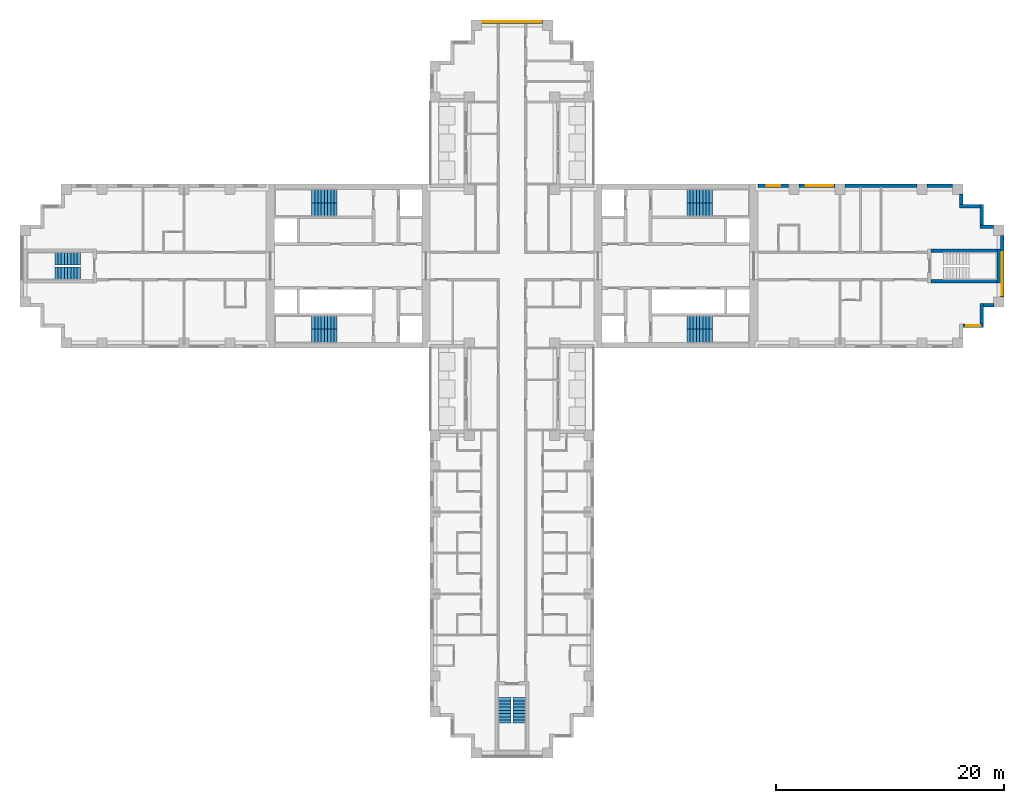
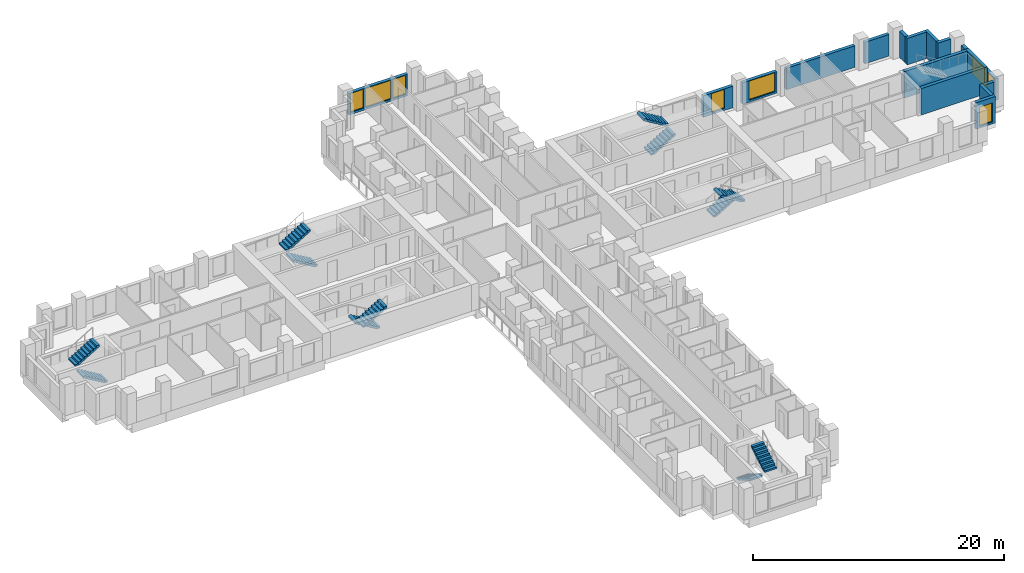
# One storey, part 11 of 14: 16 walls, 12 stair flights, 8 windows, 8 openings, 6 elements without a shape of their own.
"""IFC4 building model written with IfcOpenShell, lengths in metres."""

from ifc_helpers import new_model, si_unit, direction, frame, frame_2d, origin, place, context, subcontext, project, spatial, polyline, rectangle, outline, extrude, material, layer, layer_set, type_object, element, fill, aggregate, save


model = new_model("IFC4")

# Units and contexts
model_context = context("Model", 3, precision=1e-05, world=origin(), true_north=direction((0.0, 1.0)))
body_context = subcontext(model_context, "Body", "Model", "MODEL_VIEW")
ifc_project = project(units=[si_unit("LENGTHUNIT", "METRE"), si_unit("AREAUNIT", "SQUARE_METRE"), si_unit("VOLUMEUNIT", "CUBIC_METRE"), si_unit("PLANEANGLEUNIT", "RADIAN"), si_unit("MASSUNIT", "GRAM", prefix="KILO")], contexts=[model_context])

# Site, building, storey
site_placement = place(None, origin())
site = spatial("IfcSite", under=ifc_project, at=site_placement, CompositionType="ELEMENT")
building_placement = place(site_placement, origin())
building = spatial("IfcBuilding", under=site, at=building_placement, Name="Fustian Cross Tower", CompositionType="ELEMENT")
storey_placement = place(building_placement, frame((0.0, 0.0, 99.89990234375)))
storey = spatial("IfcBuildingStorey", under=building, at=storey_placement, Name="L31", CompositionType="ELEMENT", Elevation=99.89990234375)

# Walls
ifc_material_1 = material(Name="Concrete C50/60", Category="concrete")
ifc_layer_1 = layer(ifc_material_1, 0.300048828125)
ifc_layer_set_1 = layer_set([ifc_layer_1], Name="Concrete C50/60")
wall_type_1 = type_object("IfcWallType", Name="STAIR ENCLOSURE WALL 300 C50/60", PredefinedType="SHEAR", material=ifc_layer_set_1)
wall_1_placement = place(storey_placement, frame((42.75, -1.5, 0.0), z_axis=(0.0, 0.0, 1.0), x_axis=(0.0, 1.0, 0.0)))
element("IfcWall", 1, at=wall_1_placement, inside=storey, type_object=wall_type_1, Name="Stair enclosure wall", PredefinedType="SHEAR", context=body_context, shape_type="SweptSolid", body=[
    extrude(rectangle(XDim=3.0, YDim=0.300048828125, at=frame_2d((1.5, 0.0))), origin(), (0.0, 0.0, 1.0), 2.5751953125),
])
for number, where, z_axis, x_axis, name in (
    (2, (36.800048828125, -1.35009765625, 0.0), (0.0, 0.0, 1.0), (1.0, 0.0, 0.0), "Stair enclosure wall"),
    (3, (36.800048828125, 1.35009765625, 0.0), (0.0, 0.0, 1.0), (1.0, 0.0, 0.0), "Stair enclosure wall"),
):
    element("IfcWall", number, at=place(storey_placement, frame(where, z_axis=z_axis, x_axis=x_axis)), inside=storey, type_object=wall_type_1, Name=name, PredefinedType="SHEAR", context=body_context, shape_type="SweptSolid", body=[
        extrude(rectangle(XDim=5.800048828125, YDim=0.300048828125, at=frame_2d((2.89990234375, 0.0))), origin(), (0.0, 0.0, 1.0), 2.5751953125),
    ])

# Wall, opening, window
ifc_material_2 = material(Name="Dark aluminium cladding on insulated backing wall", Category="aluminium")
ifc_layer_2 = layer(ifc_material_2, 0.300048828125)
ifc_layer_set_2 = layer_set([ifc_layer_2], Name="Dark aluminium cladding on insulated backing wall")
wall_type_2 = type_object("IfcWallType", Name="XW1 EXTERNAL WALL 300", PredefinedType="SOLIDWALL", material=ifc_layer_set_2)
wall_2_placement = place(storey_placement, frame((39.60009765625, -5.25, 0.0), z_axis=(0.0, 0.0, 1.0), x_axis=(1.0, 0.0, 0.0)))
wall_2 = element("IfcWall", 4, at=wall_2_placement, inside=storey, type_object=wall_type_2, Name="External wall", PredefinedType="SOLIDWALL", context=body_context, shape_type="SweptSolid", body=[
    extrude(rectangle(XDim=1.7998046875, YDim=0.300048828125, at=frame_2d((0.89990234375, 0.0))), origin(), (0.0, 0.0, 1.0), 2.5751953125),
])
opening_1_placement = place(wall_2_placement, frame((0.300048828125, 0.0, 0.199951171875)))
opening_1 = element("IfcOpeningElement", 5, at=opening_1_placement, cuts=wall_2, Name="Opening WN3", PredefinedType="OPENING", context=body_context, shape_type="SweptSolid", body=[
    extrude(rectangle(XDim=1.199951171875, YDim=1.85009765625, at=frame_2d((0.60009765625, 0.925048828125))), frame((0.0, 0.159912109375, 0.0), z_axis=(0.0, -1.0, 0.0), x_axis=(1.0, 0.0, 0.0)), (0.0, 0.0, 1.0), 0.320068359375),
])
ifc_material_3 = material(Name="Dark anodised aluminium and double glazing", Category="aluminium")
window_type_1 = type_object("IfcWindowType", Name="WN3 WINDOW 1200X1850", PartitioningType="SINGLE_PANEL", PredefinedType="WINDOW", material=ifc_material_3)
window_1_placement = place(opening_1_placement, origin())
window_1 = element("IfcWindow", 6, at=window_1_placement, inside=storey, type_object=window_type_1, Name="Window", OverallHeight=1.85009765625, OverallWidth=1.199951171875, PartitioningType="SINGLE_PANEL", PredefinedType="WINDOW", context=body_context, shape_type="SweptSolid", body=[
    extrude(rectangle(XDim=1.199951171875, YDim=1.85009765625, at=frame_2d((0.60009765625, 0.925048828125))), frame((0.0, 0.030029296875, 0.0), z_axis=(0.0, -1.0, 0.0), x_axis=(1.0, 0.0, 0.0)), (0.0, 0.0, 1.0), 0.06005859375),
])
fill(opening_1, window_1)

# Walls
wall_3_placement = place(storey_placement, frame((41.25, -5.10009765625, 0.0), z_axis=(0.0, 0.0, 1.0), x_axis=(0.0, 1.0, 0.0)))
element("IfcWall", 7, at=wall_3_placement, inside=storey, type_object=wall_type_2, Name="External wall", PredefinedType="SOLIDWALL", context=body_context, shape_type="SweptSolid", body=[
    extrude(rectangle(XDim=1.800048828125, YDim=0.300048828125, at=frame_2d((0.89990234375, 0.0))), origin(), (0.0, 0.0, 1.0), 2.5751953125),
])
wall_4_placement = place(storey_placement, frame((41.39990234375, -3.449951171875, 0.0), z_axis=(0.0, 0.0, 1.0), x_axis=(1.0, 0.0, 0.0)))
element("IfcWall", 8, at=wall_4_placement, inside=storey, type_object=wall_type_2, Name="External wall", PredefinedType="SOLIDWALL", context=body_context, shape_type="SweptSolid", body=[
    extrude(rectangle(XDim=0.900146484375, YDim=0.300048828125, at=frame_2d((0.4501953125, 0.0))), origin(), (0.0, 0.0, 1.0), 2.5751953125),
])

# Wall, openings, windows
wall_5_placement = place(storey_placement, frame((43.050048828125, -2.699951171875, 0.0), z_axis=(0.0, 0.0, 1.0), x_axis=(0.0, 1.0, 0.0)))
wall_5 = element("IfcWall", 9, at=wall_5_placement, inside=storey, type_object=wall_type_2, Name="External wall", PredefinedType="SOLIDWALL", context=body_context, shape_type="SweptSolid", body=[
    extrude(rectangle(XDim=5.39990234375, YDim=0.300048828125, at=frame_2d((2.699951171875, 0.0))), origin(), (0.0, 0.0, 1.0), 2.10009765625),
])
opening_2_placement = place(wall_5_placement, frame((1.5, 0.0, 0.199951171875)))
opening_2 = element("IfcOpeningElement", 10, at=opening_2_placement, cuts=wall_5, Name="Opening WN1", PredefinedType="OPENING", context=body_context, shape_type="SweptSolid", body=[
    extrude(rectangle(XDim=2.39990234375, YDim=1.85009765625, at=frame_2d((1.199951171875, 0.925048828125))), frame((0.0, 0.159912109375, 0.0), z_axis=(0.0, -1.0, 0.0), x_axis=(1.0, 0.0, 0.0)), (0.0, 0.0, 1.0), 0.320068359375),
])
opening_3_placement = place(wall_5_placement, frame((0.14990234375, 0.0, 0.199951171875)))
opening_3 = element("IfcOpeningElement", 11, at=opening_3_placement, cuts=wall_5, Name="Opening WN3", PredefinedType="OPENING", context=body_context, shape_type="SweptSolid", body=[
    extrude(rectangle(XDim=1.199951171875, YDim=1.85009765625, at=frame_2d((0.60009765625, 0.925048828125))), frame((0.0, 0.159912109375, 0.0), z_axis=(0.0, -1.0, 0.0), x_axis=(1.0, 0.0, 0.0)), (0.0, 0.0, 1.0), 0.320068359375),
])
ifc_material_4 = material(Name="Dark anodised aluminium and double glazing", Category="aluminium")
window_type_2 = type_object("IfcWindowType", Name="WN1 WINDOW 2400X1850", PartitioningType="SINGLE_PANEL", PredefinedType="WINDOW", material=ifc_material_4)
window_2_placement = place(opening_2_placement, origin())
window_2 = element("IfcWindow", 12, at=window_2_placement, inside=storey, type_object=window_type_2, Name="Window", OverallHeight=1.85009765625, OverallWidth=2.39990234375, PartitioningType="SINGLE_PANEL", PredefinedType="WINDOW", context=body_context, shape_type="SweptSolid", body=[
    extrude(rectangle(XDim=2.39990234375, YDim=1.85009765625, at=frame_2d((1.199951171875, 0.925048828125))), frame((0.0, 0.030029296875, 0.0), z_axis=(0.0, -1.0, 0.0), x_axis=(1.0, 0.0, 0.0)), (0.0, 0.0, 1.0), 0.06005859375),
])
fill(opening_2, window_2)
window_3_placement = place(opening_3_placement, origin())
window_3 = element("IfcWindow", 13, at=window_3_placement, inside=storey, type_object=window_type_1, Name="Window", OverallHeight=1.85009765625, OverallWidth=1.199951171875, PartitioningType="SINGLE_PANEL", PredefinedType="WINDOW", context=body_context, shape_type="SweptSolid", body=[
    extrude(rectangle(XDim=1.199951171875, YDim=1.85009765625, at=frame_2d((0.60009765625, 0.925048828125))), frame((0.0, 0.030029296875, 0.0), z_axis=(0.0, -1.0, 0.0), x_axis=(1.0, 0.0, 0.0)), (0.0, 0.0, 1.0), 0.06005859375),
])
fill(opening_3, window_3)

# Walls
wall_6_placement = place(storey_placement, frame((42.300048828125, 3.449951171875, 0.0), z_axis=(0.0, 0.0, 1.0), x_axis=(-1.0, 0.0, 0.0)))
element("IfcWall", 14, at=wall_6_placement, inside=storey, type_object=wall_type_2, Name="External wall", PredefinedType="SOLIDWALL", context=body_context, shape_type="SweptSolid", body=[
    extrude(rectangle(XDim=1.199951171875, YDim=0.300048828125, at=frame_2d((0.60009765625, 0.0))), origin(), (0.0, 0.0, 1.0), 2.5751953125),
])
wall_7_placement = place(storey_placement, frame((41.25, 3.60009765625, 0.0), z_axis=(0.0, 0.0, 1.0), x_axis=(0.0, 1.0, 0.0)))
element("IfcWall", 15, at=wall_7_placement, inside=storey, type_object=wall_type_2, Name="External wall", PredefinedType="SOLIDWALL", context=body_context, shape_type="SweptSolid", body=[
    extrude(rectangle(XDim=1.7998046875, YDim=0.300048828125, at=frame_2d((0.89990234375, 0.0))), origin(), (0.0, 0.0, 1.0), 2.5751953125),
])
wall_8_placement = place(storey_placement, frame((41.10009765625, 5.25, 0.0), z_axis=(0.0, 0.0, 1.0), x_axis=(-1.0, 0.0, 0.0)))
element("IfcWall", 16, at=wall_8_placement, inside=storey, type_object=wall_type_2, Name="External wall", PredefinedType="SOLIDWALL", context=body_context, shape_type="SweptSolid", body=[
    extrude(rectangle(XDim=1.800048828125, YDim=0.300048828125, at=frame_2d((0.89990234375, 0.0))), origin(), (0.0, 0.0, 1.0), 2.5751953125),
])
wall_9_placement = place(storey_placement, frame((39.449951171875, 5.39990234375, 0.0), z_axis=(0.0, 0.0, 1.0), x_axis=(0.0, 1.0, 0.0)))
element("IfcWall", 17, at=wall_9_placement, inside=storey, type_object=wall_type_2, Name="External wall", PredefinedType="SOLIDWALL", context=body_context, shape_type="SweptSolid", body=[
    extrude(rectangle(XDim=0.900146484375, YDim=0.300048828125, at=frame_2d((0.4501953125, 0.0))), origin(), (0.0, 0.0, 1.0), 2.5751953125),
])
wall_10_placement = place(storey_placement, frame((38.699951171875, 7.050048828125, 0.0), z_axis=(0.0, 0.0, 1.0), x_axis=(-1.0, 0.0, 0.0)))
element("IfcWall", 18, at=wall_10_placement, inside=storey, type_object=wall_type_2, Name="External wall", PredefinedType="SOLIDWALL", context=body_context, shape_type="SweptSolid", body=[
    extrude(rectangle(XDim=2.25, YDim=0.300048828125, at=frame_2d((1.125, 0.0))), origin(), (0.0, 0.0, 1.0), 2.10009765625),
])
wall_11_placement = place(storey_placement, frame((35.550048828125, 7.050048828125, 0.0), z_axis=(0.0, 0.0, 1.0), x_axis=(-1.0, 0.0, 0.0)))
element("IfcWall", 19, at=wall_11_placement, inside=storey, type_object=wall_type_2, Name="External wall", PredefinedType="SOLIDWALL", context=body_context, shape_type="SweptSolid", body=[
    extrude(rectangle(XDim=6.300048828125, YDim=0.300048828125, at=frame_2d((3.14990234375, 0.0))), origin(), (0.0, 0.0, 1.0), 2.10009765625),
])

# Wall, opening, window
wall_12_placement = place(storey_placement, frame((28.35009765625, 7.050048828125, 0.0), z_axis=(0.0, 0.0, 1.0), x_axis=(-1.0, 0.0, 0.0)))
wall_12 = element("IfcWall", 20, at=wall_12_placement, inside=storey, type_object=wall_type_2, Name="External wall", PredefinedType="SOLIDWALL", context=body_context, shape_type="SweptSolid", body=[
    extrude(rectangle(XDim=3.150146484375, YDim=0.300048828125, at=frame_2d((1.5751953125, 0.0))), origin(), (0.0, 0.0, 1.0), 2.10009765625),
])
opening_4_placement = place(wall_12_placement, frame((0.14990234375, 0.0, 0.199951171875)))
opening_4 = element("IfcOpeningElement", 21, at=opening_4_placement, cuts=wall_12, Name="Opening WN1", PredefinedType="OPENING", context=body_context, shape_type="SweptSolid", body=[
    extrude(rectangle(XDim=2.39990234375, YDim=1.85009765625, at=frame_2d((1.199951171875, 0.925048828125))), frame((0.0, 0.159912109375, 0.0), z_axis=(0.0, -1.0, 0.0), x_axis=(1.0, 0.0, 0.0)), (0.0, 0.0, 1.0), 0.320068359375),
])
window_4_placement = place(opening_4_placement, origin())
window_4 = element("IfcWindow", 22, at=window_4_placement, inside=storey, type_object=window_type_2, Name="Window", OverallHeight=1.85009765625, OverallWidth=2.39990234375, PartitioningType="SINGLE_PANEL", PredefinedType="WINDOW", context=body_context, shape_type="SweptSolid", body=[
    extrude(rectangle(XDim=2.39990234375, YDim=1.85009765625, at=frame_2d((1.199951171875, 0.925048828125))), frame((0.0, 0.030029296875, 0.0), z_axis=(0.0, -1.0, 0.0), x_axis=(1.0, 0.0, 0.0)), (0.0, 0.0, 1.0), 0.06005859375),
])
fill(opening_4, window_4)

wall_13_placement = place(storey_placement, frame((24.300048828125, 7.050048828125, 0.0), z_axis=(0.0, 0.0, 1.0), x_axis=(-1.0, 0.0, 0.0)))
wall_13 = element("IfcWall", 23, at=wall_13_placement, inside=storey, type_object=wall_type_2, Name="External wall", PredefinedType="SOLIDWALL", context=body_context, shape_type="SweptSolid", body=[
    extrude(rectangle(XDim=2.699951171875, YDim=0.300048828125, at=frame_2d((1.35009765625, 0.0))), origin(), (0.0, 0.0, 1.0), 2.10009765625),
])
opening_5_placement = place(wall_13_placement, frame((0.75, 0.0, 0.199951171875)))
opening_5 = element("IfcOpeningElement", 24, at=opening_5_placement, cuts=wall_13, Name="Opening WN3", PredefinedType="OPENING", context=body_context, shape_type="SweptSolid", body=[
    extrude(rectangle(XDim=1.199951171875, YDim=1.85009765625, at=frame_2d((0.60009765625, 0.925048828125))), frame((0.0, 0.159912109375, 0.0), z_axis=(0.0, -1.0, 0.0), x_axis=(1.0, 0.0, 0.0)), (0.0, 0.0, 1.0), 0.320068359375),
])
window_5_placement = place(opening_5_placement, origin())
window_5 = element("IfcWindow", 25, at=window_5_placement, inside=storey, type_object=window_type_1, Name="Window", OverallHeight=1.85009765625, OverallWidth=1.199951171875, PartitioningType="SINGLE_PANEL", PredefinedType="WINDOW", context=body_context, shape_type="SweptSolid", body=[
    extrude(rectangle(XDim=1.199951171875, YDim=1.85009765625, at=frame_2d((0.60009765625, 0.925048828125))), frame((0.0, 0.030029296875, 0.0), z_axis=(0.0, -1.0, 0.0), x_axis=(1.0, 0.0, 0.0)), (0.0, 0.0, 1.0), 0.06005859375),
])
fill(opening_5, window_5)

# Wall, openings, windows
wall_14_placement = place(storey_placement, frame((2.699951171875, 21.449951171875, 0.0), z_axis=(0.0, 0.0, 1.0), x_axis=(-1.0, 0.0, 0.0)))
wall_14 = element("IfcWall", 26, at=wall_14_placement, inside=storey, type_object=wall_type_2, Name="External wall", PredefinedType="SOLIDWALL", context=body_context, shape_type="SweptSolid", body=[
    extrude(rectangle(XDim=5.39990234375, YDim=0.300048828125, at=frame_2d((2.699951171875, 0.0))), origin(), (0.0, 0.0, 1.0), 2.10009765625),
])
opening_6_placement = place(wall_14_placement, frame((1.5, 0.0, 0.199951171875)))
opening_6 = element("IfcOpeningElement", 27, at=opening_6_placement, cuts=wall_14, Name="Opening WN1", PredefinedType="OPENING", context=body_context, shape_type="SweptSolid", body=[
    extrude(rectangle(XDim=2.39990234375, YDim=1.85009765625, at=frame_2d((1.199951171875, 0.925048828125))), frame((0.0, 0.159912109375, 0.0), z_axis=(0.0, -1.0, 0.0), x_axis=(1.0, 0.0, 0.0)), (0.0, 0.0, 1.0), 0.320068359375),
])
opening_7_placement = place(wall_14_placement, frame((0.14990234375, 0.0, 0.199951171875)))
opening_7 = element("IfcOpeningElement", 28, at=opening_7_placement, cuts=wall_14, Name="Opening WN3", PredefinedType="OPENING", context=body_context, shape_type="SweptSolid", body=[
    extrude(rectangle(XDim=1.199951171875, YDim=1.85009765625, at=frame_2d((0.60009765625, 0.925048828125))), frame((0.0, 0.159912109375, 0.0), z_axis=(0.0, -1.0, 0.0), x_axis=(1.0, 0.0, 0.0)), (0.0, 0.0, 1.0), 0.320068359375),
])
opening_8_placement = place(wall_14_placement, frame((4.050048828125, 0.0, 0.199951171875)))
opening_8 = element("IfcOpeningElement", 29, at=opening_8_placement, cuts=wall_14, Name="Opening WN3", PredefinedType="OPENING", context=body_context, shape_type="SweptSolid", body=[
    extrude(rectangle(XDim=1.199951171875, YDim=1.85009765625, at=frame_2d((0.60009765625, 0.925048828125))), frame((0.0, 0.159912109375, 0.0), z_axis=(0.0, -1.0, 0.0), x_axis=(1.0, 0.0, 0.0)), (0.0, 0.0, 1.0), 0.320068359375),
])
window_6_placement = place(opening_6_placement, origin())
window_6 = element("IfcWindow", 30, at=window_6_placement, inside=storey, type_object=window_type_2, Name="Window", OverallHeight=1.85009765625, OverallWidth=2.39990234375, PartitioningType="SINGLE_PANEL", PredefinedType="WINDOW", context=body_context, shape_type="SweptSolid", body=[
    extrude(rectangle(XDim=2.39990234375, YDim=1.85009765625, at=frame_2d((1.199951171875, 0.925048828125))), frame((0.0, 0.030029296875, 0.0), z_axis=(0.0, -1.0, 0.0), x_axis=(1.0, 0.0, 0.0)), (0.0, 0.0, 1.0), 0.06005859375),
])
fill(opening_6, window_6)
window_7_placement = place(opening_7_placement, origin())
window_7 = element("IfcWindow", 31, at=window_7_placement, inside=storey, type_object=window_type_1, Name="Window", OverallHeight=1.85009765625, OverallWidth=1.199951171875, PartitioningType="SINGLE_PANEL", PredefinedType="WINDOW", context=body_context, shape_type="SweptSolid", body=[
    extrude(rectangle(XDim=1.199951171875, YDim=1.85009765625, at=frame_2d((0.60009765625, 0.925048828125))), frame((0.0, 0.030029296875, 0.0), z_axis=(0.0, -1.0, 0.0), x_axis=(1.0, 0.0, 0.0)), (0.0, 0.0, 1.0), 0.06005859375),
])
fill(opening_7, window_7)
window_8_placement = place(opening_8_placement, origin())
window_8 = element("IfcWindow", 32, at=window_8_placement, inside=storey, type_object=window_type_1, Name="Window", OverallHeight=1.85009765625, OverallWidth=1.199951171875, PartitioningType="SINGLE_PANEL", PredefinedType="WINDOW", context=body_context, shape_type="SweptSolid", body=[
    extrude(rectangle(XDim=1.199951171875, YDim=1.85009765625, at=frame_2d((0.60009765625, 0.925048828125))), frame((0.0, 0.030029296875, 0.0), z_axis=(0.0, -1.0, 0.0), x_axis=(1.0, 0.0, 0.0)), (0.0, 0.0, 1.0), 0.06005859375),
])
fill(opening_8, window_8)

# Stair, stair flights
ifc_material_5 = material(Name="Concrete C50/60", Category="concrete")
stair_type_1 = type_object("IfcStairType", Name="STAIR 1100 HALF TURN", PredefinedType="HALF_TURN_STAIR", material=ifc_material_5)
stair_1_placement = place(storey_placement, origin())
stair_1 = element("IfcStair", 33, at=stair_1_placement, inside=storey, type_object=stair_type_1, Name="Stair ST6", PredefinedType="HALF_TURN_STAIR")
ifc_material_6 = material(Name="Concrete C50/60", Category="concrete")
stair_flight_type_1 = type_object("IfcStairFlightType", Name="STAIR FLIGHT 1100", PredefinedType="STRAIGHT", material=ifc_material_6)
stair_flight_1_placement = place(storey_placement, frame((-0.64990234375, -37.89990234375, 0.0), z_axis=(0.0, 0.0, 1.0), x_axis=(0.0, -1.0, 0.0)))
stair_flight_1 = element("IfcStairFlight", 34, at=stair_flight_1_placement, type_object=stair_flight_type_1, Name="ST6 flight 1", NumberOfRisers=9, NumberOfTreads=8, PredefinedType="STRAIGHT", RiserHeight=0.166666667, TreadLength=0.28, context=body_context, shape_type="SweptSolid", body=[
    extrude(outline(polyline([(0.0, 0.0), (0.0, 0.166748046875), (0.280029296875, 0.166748046875), (0.280029296875, 0.333251953125), (0.56005859375, 0.333251953125), (0.56005859375, 0.5), (0.840087890625, 0.5), (0.840087890625, 0.666748046875), (1.1201171875, 0.666748046875), (1.1201171875, 0.833251953125), (1.39990234375, 0.833251953125), (1.39990234375, 1.0), (1.679931640625, 1.0), (1.679931640625, 1.166748046875), (1.9599609375, 1.166748046875), (1.9599609375, 1.333251953125), (2.239990234375, 1.333251953125), (2.239990234375, 1.5), (2.239990234375, 1.158935546875), (0.29296875, 0.0), (0.0, 0.0)])), frame((0.0, 0.550048828125, 0.0), z_axis=(0.0, -1.0, 0.0), x_axis=(1.0, 0.0, 0.0)), (0.0, 0.0, 1.0), 1.10009765625),
])
stair_flight_2_placement = place(storey_placement, frame((0.64990234375, -40.139892578125, 1.5), z_axis=(0.0, 0.0, 1.0), x_axis=(0.0, 1.0, 0.0)))
stair_flight_2 = element("IfcStairFlight", 35, at=stair_flight_2_placement, type_object=stair_flight_type_1, Name="ST6 flight 2", NumberOfRisers=9, NumberOfTreads=8, PredefinedType="STRAIGHT", RiserHeight=0.166666667, TreadLength=0.28, context=body_context, shape_type="SweptSolid", body=[
    extrude(outline(polyline([(0.0, 0.0), (0.0, 0.166748046875), (0.280029296875, 0.166748046875), (0.280029296875, 0.333251953125), (0.56005859375, 0.333251953125), (0.56005859375, 0.5), (0.840087890625, 0.5), (0.840087890625, 0.666748046875), (1.1201171875, 0.666748046875), (1.1201171875, 0.833251953125), (1.39990234375, 0.833251953125), (1.39990234375, 1.0), (1.679931640625, 1.0), (1.679931640625, 1.166748046875), (1.9599609375, 1.166748046875), (1.9599609375, 1.333251953125), (2.239990234375, 1.333251953125), (2.239990234375, 1.5), (2.239990234375, 1.158935546875), (0.29296875, 0.0), (0.0, 0.0)])), frame((0.0, 0.550048828125, 0.0), z_axis=(0.0, -1.0, 0.0), x_axis=(1.0, 0.0, 0.0)), (0.0, 0.0, 1.0), 1.10009765625),
])
aggregate(stair_1, [stair_flight_1, stair_flight_2])

stair_2_placement = place(storey_placement, origin())
stair_2 = element("IfcStair", 36, at=stair_2_placement, inside=storey, type_object=stair_type_1, Name="Stair ST9", PredefinedType="HALF_TURN_STAIR")
stair_flight_3_placement = place(storey_placement, frame((-37.89990234375, -0.64990234375, 0.0), z_axis=(0.0, 0.0, 1.0), x_axis=(-1.0, 0.0, 0.0)))
stair_flight_3 = element("IfcStairFlight", 37, at=stair_flight_3_placement, type_object=stair_flight_type_1, Name="ST9 flight 1", NumberOfRisers=9, NumberOfTreads=8, PredefinedType="STRAIGHT", RiserHeight=0.166666667, TreadLength=0.28, context=body_context, shape_type="SweptSolid", body=[
    extrude(outline(polyline([(0.0, 0.0), (0.0, 0.166748046875), (0.280029296875, 0.166748046875), (0.280029296875, 0.333251953125), (0.56005859375, 0.333251953125), (0.56005859375, 0.5), (0.840087890625, 0.5), (0.840087890625, 0.666748046875), (1.1201171875, 0.666748046875), (1.1201171875, 0.833251953125), (1.39990234375, 0.833251953125), (1.39990234375, 1.0), (1.679931640625, 1.0), (1.679931640625, 1.166748046875), (1.9599609375, 1.166748046875), (1.9599609375, 1.333251953125), (2.239990234375, 1.333251953125), (2.239990234375, 1.5), (2.239990234375, 1.158935546875), (0.29296875, 0.0), (0.0, 0.0)])), frame((0.0, 0.550048828125, 0.0), z_axis=(0.0, -1.0, 0.0), x_axis=(1.0, 0.0, 0.0)), (0.0, 0.0, 1.0), 1.10009765625),
])
stair_flight_4_placement = place(storey_placement, frame((-40.139892578125, 0.64990234375, 1.5), z_axis=(0.0, 0.0, 1.0), x_axis=(1.0, 0.0, 0.0)))
stair_flight_4 = element("IfcStairFlight", 38, at=stair_flight_4_placement, type_object=stair_flight_type_1, Name="ST9 flight 2", NumberOfRisers=9, NumberOfTreads=8, PredefinedType="STRAIGHT", RiserHeight=0.166666667, TreadLength=0.28, context=body_context, shape_type="SweptSolid", body=[
    extrude(outline(polyline([(0.0, 0.0), (0.0, 0.166748046875), (0.280029296875, 0.166748046875), (0.280029296875, 0.333251953125), (0.56005859375, 0.333251953125), (0.56005859375, 0.5), (0.840087890625, 0.5), (0.840087890625, 0.666748046875), (1.1201171875, 0.666748046875), (1.1201171875, 0.833251953125), (1.39990234375, 0.833251953125), (1.39990234375, 1.0), (1.679931640625, 1.0), (1.679931640625, 1.166748046875), (1.9599609375, 1.166748046875), (1.9599609375, 1.333251953125), (2.239990234375, 1.333251953125), (2.239990234375, 1.5), (2.239990234375, 1.158935546875), (0.29296875, 0.0), (0.0, 0.0)])), frame((0.0, 0.550048828125, 0.0), z_axis=(0.0, -1.0, 0.0), x_axis=(1.0, 0.0, 0.0)), (0.0, 0.0, 1.0), 1.10009765625),
])
aggregate(stair_2, [stair_flight_3, stair_flight_4])

ifc_material_7 = material(Name="Concrete C50/60", Category="concrete")
stair_type_2 = type_object("IfcStairType", Name="STAIR 1150 HALF TURN", PredefinedType="HALF_TURN_STAIR", material=ifc_material_7)
stair_3_placement = place(storey_placement, origin())
stair_3 = element("IfcStair", 39, at=stair_3_placement, inside=storey, type_object=stair_type_2, Name="Stair ST1", PredefinedType="HALF_TURN_STAIR")
ifc_material_8 = material(Name="Concrete C50/60", Category="concrete")
stair_flight_type_2 = type_object("IfcStairFlightType", Name="STAIR FLIGHT 1150", PredefinedType="STRAIGHT", material=ifc_material_8)
stair_flight_5_placement = place(storey_placement, frame((15.35009765625, 4.97509765625, 0.0), z_axis=(0.0, 0.0, 1.0), x_axis=(1.0, 0.0, 0.0)))
stair_flight_5 = element("IfcStairFlight", 40, at=stair_flight_5_placement, type_object=stair_flight_type_2, Name="ST1 flight 1", NumberOfRisers=9, NumberOfTreads=8, PredefinedType="STRAIGHT", RiserHeight=0.166666667, TreadLength=0.28, context=body_context, shape_type="SweptSolid", body=[
    extrude(outline(polyline([(0.0, 0.0), (0.0, 0.166748046875), (0.280029296875, 0.166748046875), (0.280029296875, 0.333251953125), (0.56005859375, 0.333251953125), (0.56005859375, 0.5), (0.840087890625, 0.5), (0.840087890625, 0.666748046875), (1.1201171875, 0.666748046875), (1.1201171875, 0.833251953125), (1.39990234375, 0.833251953125), (1.39990234375, 1.0), (1.679931640625, 1.0), (1.679931640625, 1.166748046875), (1.9599609375, 1.166748046875), (1.9599609375, 1.333251953125), (2.239990234375, 1.333251953125), (2.239990234375, 1.5), (2.239990234375, 1.158935546875), (0.29296875, 0.0), (0.0, 0.0)])), frame((0.0, 0.574951171875, 0.0), z_axis=(0.0, -1.0, 0.0), x_axis=(1.0, 0.0, 0.0)), (0.0, 0.0, 1.0), 1.14990234375),
])
stair_flight_6_placement = place(storey_placement, frame((17.590087890625, 6.125, 1.5), z_axis=(0.0, 0.0, 1.0), x_axis=(-1.0, 0.0, 0.0)))
stair_flight_6 = element("IfcStairFlight", 41, at=stair_flight_6_placement, type_object=stair_flight_type_2, Name="ST1 flight 2", NumberOfRisers=9, NumberOfTreads=8, PredefinedType="STRAIGHT", RiserHeight=0.166666667, TreadLength=0.28, context=body_context, shape_type="SweptSolid", body=[
    extrude(outline(polyline([(0.0, 0.0), (0.0, 0.166748046875), (0.280029296875, 0.166748046875), (0.280029296875, 0.333251953125), (0.56005859375, 0.333251953125), (0.56005859375, 0.5), (0.840087890625, 0.5), (0.840087890625, 0.666748046875), (1.1201171875, 0.666748046875), (1.1201171875, 0.833251953125), (1.39990234375, 0.833251953125), (1.39990234375, 1.0), (1.679931640625, 1.0), (1.679931640625, 1.166748046875), (1.9599609375, 1.166748046875), (1.9599609375, 1.333251953125), (2.239990234375, 1.333251953125), (2.239990234375, 1.5), (2.239990234375, 1.158935546875), (0.29296875, 0.0), (0.0, 0.0)])), frame((0.0, 0.574951171875, 0.0), z_axis=(0.0, -1.0, 0.0), x_axis=(1.0, 0.0, 0.0)), (0.0, 0.0, 1.0), 1.14990234375),
])
aggregate(stair_3, [stair_flight_5, stair_flight_6])

stair_4_placement = place(storey_placement, origin())
stair_4 = element("IfcStair", 42, at=stair_4_placement, inside=storey, type_object=stair_type_2, Name="Stair ST2", PredefinedType="HALF_TURN_STAIR")
stair_flight_7_placement = place(storey_placement, frame((15.35009765625, -4.97509765625, 0.0), z_axis=(0.0, 0.0, 1.0), x_axis=(1.0, 0.0, 0.0)))
stair_flight_7 = element("IfcStairFlight", 43, at=stair_flight_7_placement, type_object=stair_flight_type_2, Name="ST2 flight 1", NumberOfRisers=9, NumberOfTreads=8, PredefinedType="STRAIGHT", RiserHeight=0.166666667, TreadLength=0.28, context=body_context, shape_type="SweptSolid", body=[
    extrude(outline(polyline([(0.0, 0.0), (0.0, 0.166748046875), (0.280029296875, 0.166748046875), (0.280029296875, 0.333251953125), (0.56005859375, 0.333251953125), (0.56005859375, 0.5), (0.840087890625, 0.5), (0.840087890625, 0.666748046875), (1.1201171875, 0.666748046875), (1.1201171875, 0.833251953125), (1.39990234375, 0.833251953125), (1.39990234375, 1.0), (1.679931640625, 1.0), (1.679931640625, 1.166748046875), (1.9599609375, 1.166748046875), (1.9599609375, 1.333251953125), (2.239990234375, 1.333251953125), (2.239990234375, 1.5), (2.239990234375, 1.158935546875), (0.29296875, 0.0), (0.0, 0.0)])), frame((0.0, 0.574951171875, 0.0), z_axis=(0.0, -1.0, 0.0), x_axis=(1.0, 0.0, 0.0)), (0.0, 0.0, 1.0), 1.14990234375),
])
stair_flight_8_placement = place(storey_placement, frame((17.590087890625, -6.125, 1.5), z_axis=(0.0, 0.0, 1.0), x_axis=(-1.0, 0.0, 0.0)))
stair_flight_8 = element("IfcStairFlight", 44, at=stair_flight_8_placement, type_object=stair_flight_type_2, Name="ST2 flight 2", NumberOfRisers=9, NumberOfTreads=8, PredefinedType="STRAIGHT", RiserHeight=0.166666667, TreadLength=0.28, context=body_context, shape_type="SweptSolid", body=[
    extrude(outline(polyline([(0.0, 0.0), (0.0, 0.166748046875), (0.280029296875, 0.166748046875), (0.280029296875, 0.333251953125), (0.56005859375, 0.333251953125), (0.56005859375, 0.5), (0.840087890625, 0.5), (0.840087890625, 0.666748046875), (1.1201171875, 0.666748046875), (1.1201171875, 0.833251953125), (1.39990234375, 0.833251953125), (1.39990234375, 1.0), (1.679931640625, 1.0), (1.679931640625, 1.166748046875), (1.9599609375, 1.166748046875), (1.9599609375, 1.333251953125), (2.239990234375, 1.333251953125), (2.239990234375, 1.5), (2.239990234375, 1.158935546875), (0.29296875, 0.0), (0.0, 0.0)])), frame((0.0, 0.574951171875, 0.0), z_axis=(0.0, -1.0, 0.0), x_axis=(1.0, 0.0, 0.0)), (0.0, 0.0, 1.0), 1.14990234375),
])
aggregate(stair_4, [stair_flight_7, stair_flight_8])

stair_5_placement = place(storey_placement, origin())
stair_5 = element("IfcStair", 45, at=stair_5_placement, inside=storey, type_object=stair_type_2, Name="Stair ST3", PredefinedType="HALF_TURN_STAIR")
stair_flight_9_placement = place(storey_placement, frame((-15.35009765625, 4.97509765625, 0.0), z_axis=(0.0, 0.0, 1.0), x_axis=(-1.0, 0.0, 0.0)))
stair_flight_9 = element("IfcStairFlight", 46, at=stair_flight_9_placement, type_object=stair_flight_type_2, Name="ST3 flight 1", NumberOfRisers=9, NumberOfTreads=8, PredefinedType="STRAIGHT", RiserHeight=0.166666667, TreadLength=0.28, context=body_context, shape_type="SweptSolid", body=[
    extrude(outline(polyline([(0.0, 0.0), (0.0, 0.166748046875), (0.280029296875, 0.166748046875), (0.280029296875, 0.333251953125), (0.56005859375, 0.333251953125), (0.56005859375, 0.5), (0.840087890625, 0.5), (0.840087890625, 0.666748046875), (1.1201171875, 0.666748046875), (1.1201171875, 0.833251953125), (1.39990234375, 0.833251953125), (1.39990234375, 1.0), (1.679931640625, 1.0), (1.679931640625, 1.166748046875), (1.9599609375, 1.166748046875), (1.9599609375, 1.333251953125), (2.239990234375, 1.333251953125), (2.239990234375, 1.5), (2.239990234375, 1.158935546875), (0.29296875, 0.0), (0.0, 0.0)])), frame((0.0, 0.574951171875, 0.0), z_axis=(0.0, -1.0, 0.0), x_axis=(1.0, 0.0, 0.0)), (0.0, 0.0, 1.0), 1.14990234375),
])
stair_flight_10_placement = place(storey_placement, frame((-17.590087890625, 6.125, 1.5), z_axis=(0.0, 0.0, 1.0), x_axis=(1.0, 0.0, 0.0)))
stair_flight_10 = element("IfcStairFlight", 47, at=stair_flight_10_placement, type_object=stair_flight_type_2, Name="ST3 flight 2", NumberOfRisers=9, NumberOfTreads=8, PredefinedType="STRAIGHT", RiserHeight=0.166666667, TreadLength=0.28, context=body_context, shape_type="SweptSolid", body=[
    extrude(outline(polyline([(0.0, 0.0), (0.0, 0.166748046875), (0.280029296875, 0.166748046875), (0.280029296875, 0.333251953125), (0.56005859375, 0.333251953125), (0.56005859375, 0.5), (0.840087890625, 0.5), (0.840087890625, 0.666748046875), (1.1201171875, 0.666748046875), (1.1201171875, 0.833251953125), (1.39990234375, 0.833251953125), (1.39990234375, 1.0), (1.679931640625, 1.0), (1.679931640625, 1.166748046875), (1.9599609375, 1.166748046875), (1.9599609375, 1.333251953125), (2.239990234375, 1.333251953125), (2.239990234375, 1.5), (2.239990234375, 1.158935546875), (0.29296875, 0.0), (0.0, 0.0)])), frame((0.0, 0.574951171875, 0.0), z_axis=(0.0, -1.0, 0.0), x_axis=(1.0, 0.0, 0.0)), (0.0, 0.0, 1.0), 1.14990234375),
])
aggregate(stair_5, [stair_flight_9, stair_flight_10])

stair_6_placement = place(storey_placement, origin())
stair_6 = element("IfcStair", 48, at=stair_6_placement, inside=storey, type_object=stair_type_2, Name="Stair ST4", PredefinedType="HALF_TURN_STAIR")
stair_flight_11_placement = place(storey_placement, frame((-15.35009765625, -4.97509765625, 0.0), z_axis=(0.0, 0.0, 1.0), x_axis=(-1.0, 0.0, 0.0)))
stair_flight_11 = element("IfcStairFlight", 49, at=stair_flight_11_placement, type_object=stair_flight_type_2, Name="ST4 flight 1", NumberOfRisers=9, NumberOfTreads=8, PredefinedType="STRAIGHT", RiserHeight=0.166666667, TreadLength=0.28, context=body_context, shape_type="SweptSolid", body=[
    extrude(outline(polyline([(0.0, 0.0), (0.0, 0.166748046875), (0.280029296875, 0.166748046875), (0.280029296875, 0.333251953125), (0.56005859375, 0.333251953125), (0.56005859375, 0.5), (0.840087890625, 0.5), (0.840087890625, 0.666748046875), (1.1201171875, 0.666748046875), (1.1201171875, 0.833251953125), (1.39990234375, 0.833251953125), (1.39990234375, 1.0), (1.679931640625, 1.0), (1.679931640625, 1.166748046875), (1.9599609375, 1.166748046875), (1.9599609375, 1.333251953125), (2.239990234375, 1.333251953125), (2.239990234375, 1.5), (2.239990234375, 1.158935546875), (0.29296875, 0.0), (0.0, 0.0)])), frame((0.0, 0.574951171875, 0.0), z_axis=(0.0, -1.0, 0.0), x_axis=(1.0, 0.0, 0.0)), (0.0, 0.0, 1.0), 1.14990234375),
])
stair_flight_12_placement = place(storey_placement, frame((-17.590087890625, -6.125, 1.5), z_axis=(0.0, 0.0, 1.0), x_axis=(1.0, 0.0, 0.0)))
stair_flight_12 = element("IfcStairFlight", 50, at=stair_flight_12_placement, type_object=stair_flight_type_2, Name="ST4 flight 2", NumberOfRisers=9, NumberOfTreads=8, PredefinedType="STRAIGHT", RiserHeight=0.166666667, TreadLength=0.28, context=body_context, shape_type="SweptSolid", body=[
    extrude(outline(polyline([(0.0, 0.0), (0.0, 0.166748046875), (0.280029296875, 0.166748046875), (0.280029296875, 0.333251953125), (0.56005859375, 0.333251953125), (0.56005859375, 0.5), (0.840087890625, 0.5), (0.840087890625, 0.666748046875), (1.1201171875, 0.666748046875), (1.1201171875, 0.833251953125), (1.39990234375, 0.833251953125), (1.39990234375, 1.0), (1.679931640625, 1.0), (1.679931640625, 1.166748046875), (1.9599609375, 1.166748046875), (1.9599609375, 1.333251953125), (2.239990234375, 1.333251953125), (2.239990234375, 1.5), (2.239990234375, 1.158935546875), (0.29296875, 0.0), (0.0, 0.0)])), frame((0.0, 0.574951171875, 0.0), z_axis=(0.0, -1.0, 0.0), x_axis=(1.0, 0.0, 0.0)), (0.0, 0.0, 1.0), 1.14990234375),
])
aggregate(stair_6, [stair_flight_11, stair_flight_12])

save(model, "model.ifc")
